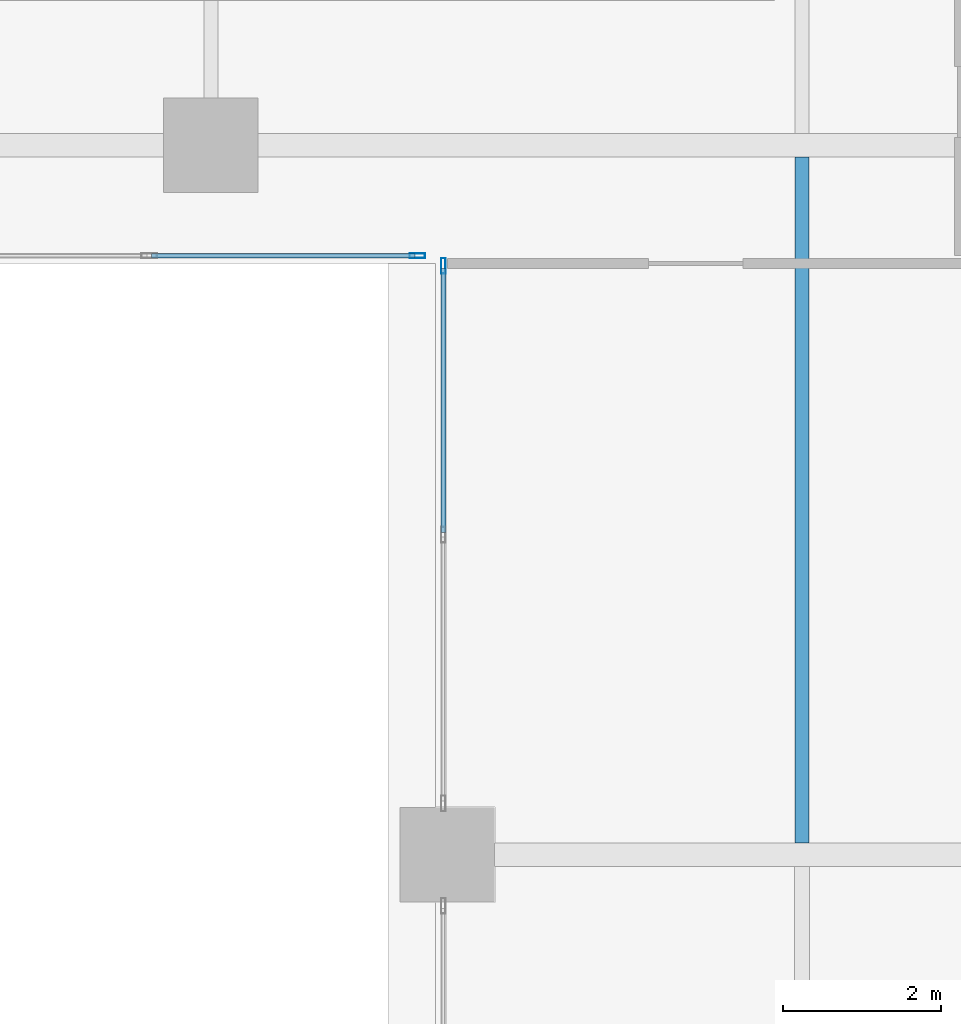
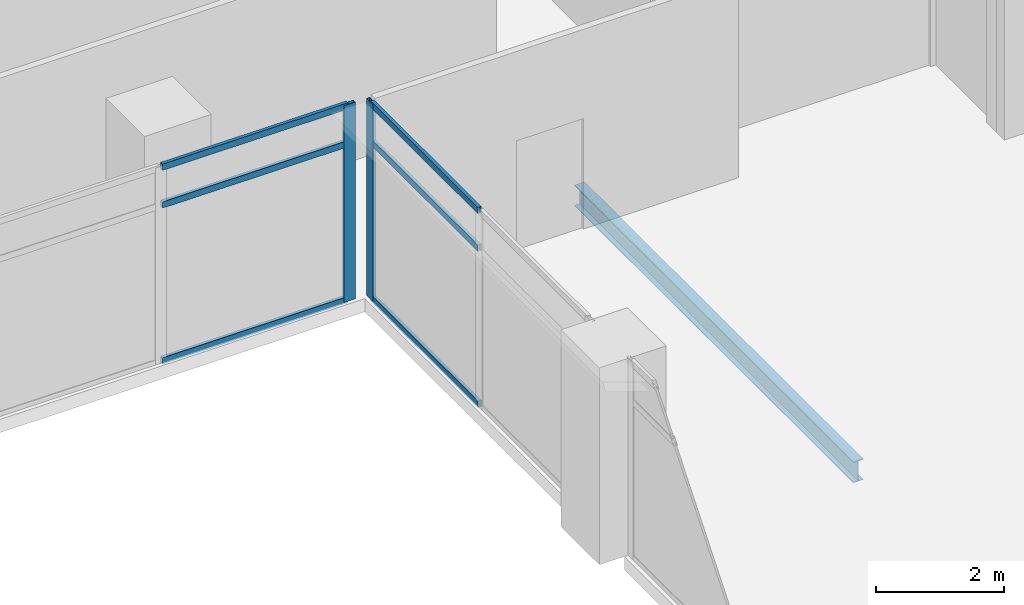
# One storey, part 14 of 38: 8 members, 1 beam, 2 elements without a shape of their own.
"""IFC4 building model written with IfcOpenShell, lengths in metres."""

from ifc_helpers import new_model, si_unit, direction, frame, origin, origin_2d, place, context, subcontext, project, spatial, hollow_rectangle, i_section, extrude, source, transform, mapped, material, material_profile, profile_set, type_object, element, aggregate, save


model = new_model("IFC4")

# Units and contexts
model_context = context("Model", 3, precision=1e-05, world=origin(), true_north=direction((0.0, 1.0)))
body_context = subcontext(model_context, "Body", "Model", "MODEL_VIEW")
ifc_project = project(units=[si_unit("LENGTHUNIT", "METRE"), si_unit("AREAUNIT", "SQUARE_METRE"), si_unit("VOLUMEUNIT", "CUBIC_METRE"), si_unit("PLANEANGLEUNIT", "RADIAN"), si_unit("MASSUNIT", "GRAM", prefix="KILO")], contexts=[model_context])

# Site, building, storey
site_placement = place(None, origin())
site = spatial("IfcSite", under=ifc_project, at=site_placement, CompositionType="ELEMENT")
building_placement = place(site_placement, origin())
building = spatial("IfcBuilding", under=site, at=building_placement, Name="Khomas Fold Tower", CompositionType="ELEMENT")
storey_placement = place(building_placement, frame((0.0, 0.0, 172.699951171875)))
storey = spatial("IfcBuildingStorey", under=building, at=storey_placement, Name="L37", CompositionType="ELEMENT", Elevation=172.699951171875)

# Beam
ifc_material_1 = material(Name="Steel S355", Category="steel")
ifc_material_profile_1 = material_profile(ifc_material_1, i_section(OverallWidth=0.179931640625, OverallDepth=0.39990234375, WebThickness=0.008544921875, FlangeThickness=0.013427734375, at=origin_2d()), Name="IPE 400")
ifc_profile_set_1 = profile_set([ifc_material_profile_1], Name="Steel S355")
beam_type = type_object("IfcBeamType", Name="IPE 400 beam JB3", PredefinedType="BEAM", material=ifc_profile_set_1)
shared_shape_1 = source(origin(), body_context, "Body", "SweptSolid", [
    extrude(i_section(OverallWidth=0.179931640625, OverallDepth=0.39990234375, WebThickness=0.008544921875, FlangeThickness=0.013427734375, at=origin_2d()), origin(), (0.0, 0.0, 1.0), 8.7001953125),
])
beam_placement = place(storey_placement, frame((42.0, 13.64990234375, -0.449951171875), z_axis=(0.0, 1.0, 0.0), x_axis=(-1.0, 0.0, 0.0)))
element("IfcBeam", 1, at=beam_placement, inside=storey, type_object=beam_type, Name="JB3", PredefinedType="BEAM", context=body_context, shape_type="MappedRepresentation", body=[
    mapped(shared_shape_1, transform((0.0, 0.0, 0.0))),
])

# Curtain wall, member
ifc_material_2 = material(Name="Aluminium framed double glazing", Category="aluminium")
curtain_wall_type = type_object("IfcCurtainWallType", Name="Notch glazing GN-CW", PredefinedType="NOTDEFINED", material=ifc_material_2)
curtain_wall_1_placement = place(storey_placement, origin())
curtain_wall_1 = element("IfcCurtainWall", 2, at=curtain_wall_1_placement, inside=storey, type_object=curtain_wall_type, Name="Notch glazing run", PredefinedType="NOTDEFINED")
ifc_material_3 = material(Name="Aluminium", Category="aluminium")
ifc_material_profile_2 = material_profile(ifc_material_3, hollow_rectangle(XDim=0.06005859375, YDim=0.199951171875, WallThickness=0.00390625, at=origin_2d()), Name="Notch glazing mullion GN-CW-M")
ifc_profile_set_2 = profile_set([ifc_material_profile_2], Name="Aluminium")
member_type_1 = type_object("IfcMemberType", Name="Notch glazing mullion GN-CW-M", PredefinedType="MULLION", material=ifc_profile_set_2)
shared_shape_2 = source(origin(), body_context, "Body", "SweptSolid", [
    extrude(hollow_rectangle(XDim=0.06005859375, YDim=0.199951171875, WallThickness=0.00390625, at=origin_2d()), origin(), (0.0, 0.0, 1.0), 3.75),
])
member_1_placement = place(storey_placement, frame((37.1201171875, 21.10009765625, 0.0), z_axis=(0.0, 0.0, 1.0), x_axis=(0.0, 1.0, 0.0)))
member_1 = element("IfcMember", 3, at=member_1_placement, type_object=member_type_1, Name="GN-CW mullion 4", PredefinedType="MULLION", context=body_context, shape_type="MappedRepresentation", body=[
    mapped(shared_shape_2, transform((0.0, 0.0, 0.0))),
])

# Curtain wall, members
curtain_wall_2_placement = place(storey_placement, origin())
curtain_wall_2 = element("IfcCurtainWall", 4, at=curtain_wall_2_placement, inside=storey, type_object=curtain_wall_type, Name="Notch glazing run", PredefinedType="NOTDEFINED")
member_2_placement = place(storey_placement, frame((37.449951171875, 20.969970703125, 0.0), z_axis=(0.0, 0.0, 1.0), x_axis=(1.0, 0.0, 0.0)))
member_2 = element("IfcMember", 5, at=member_2_placement, type_object=member_type_1, Name="GN-CW mullion 1", PredefinedType="MULLION", context=body_context, shape_type="MappedRepresentation", body=[
    mapped(shared_shape_2, transform((0.0, 0.0, 0.0))),
])
ifc_material_4 = material(Name="Aluminium", Category="aluminium")
ifc_material_profile_3 = material_profile(ifc_material_4, hollow_rectangle(XDim=0.06005859375, YDim=0.1201171875, WallThickness=0.00390625, at=origin_2d()), Name="Notch glazing transom GN-CW-T")
ifc_profile_set_3 = profile_set([ifc_material_profile_3], Name="Aluminium")
member_type_2 = type_object("IfcMemberType", Name="Notch glazing transom GN-CW-T", PredefinedType="USERDEFINED", material=ifc_profile_set_3)
shared_shape_3 = source(origin(), body_context, "Body", "SweptSolid", [
    extrude(hollow_rectangle(XDim=0.06005859375, YDim=0.1201171875, WallThickness=0.00390625, at=origin_2d()), origin(), (0.0, 0.0, 1.0), 3.349853515625),
])
member_3_placement = place(storey_placement, frame((37.449951171875, 20.93994140625, 0.030029296875), z_axis=(0.0, -1.0, 0.0), x_axis=(1.0, 0.0, 0.0)))
member_3 = element("IfcMember", 6, at=member_3_placement, type_object=member_type_2, Name="GN-CW transom 1.1", ObjectType="TRANSOM", PredefinedType="USERDEFINED", context=body_context, shape_type="MappedRepresentation", body=[
    mapped(shared_shape_3, transform((0.0, 0.0, 0.0))),
])
member_4_placement = place(storey_placement, frame((37.449951171875, 20.93994140625, 3.0), z_axis=(0.0, -1.0, 0.0), x_axis=(1.0, 0.0, 0.0)))
member_4 = element("IfcMember", 7, at=member_4_placement, type_object=member_type_2, Name="GN-CW transom 1.2", ObjectType="TRANSOM", PredefinedType="USERDEFINED", context=body_context, shape_type="MappedRepresentation", body=[
    mapped(shared_shape_3, transform((0.0, 0.0, 0.0))),
])
member_5_placement = place(storey_placement, frame((37.449951171875, 20.93994140625, 3.719970703125), z_axis=(0.0, -1.0, 0.0), x_axis=(1.0, 0.0, 0.0)))
member_5 = element("IfcMember", 8, at=member_5_placement, type_object=member_type_2, Name="GN-CW transom 1.3", ObjectType="TRANSOM", PredefinedType="USERDEFINED", context=body_context, shape_type="MappedRepresentation", body=[
    mapped(shared_shape_3, transform((0.0, 0.0, 0.0))),
])
aggregate(curtain_wall_2, [member_2, member_3, member_4, member_5])

# Member
shared_shape_4 = source(origin(), body_context, "Body", "SweptSolid", [
    extrude(hollow_rectangle(XDim=0.06005859375, YDim=0.1201171875, WallThickness=0.00390625, at=origin_2d()), origin(), (0.0, 0.0, 1.0), 3.343505859375),
])
member_6_placement = place(storey_placement, frame((33.74658203125, 21.10009765625, 0.030029296875), z_axis=(1.0, 0.0, 0.0), x_axis=(0.0, 1.0, 0.0)))
member_6 = element("IfcMember", 9, at=member_6_placement, type_object=member_type_2, Name="GN-CW transom 3.1", ObjectType="TRANSOM", PredefinedType="USERDEFINED", context=body_context, shape_type="MappedRepresentation", body=[
    mapped(shared_shape_4, transform((0.0, 0.0, 0.0))),
])

member_7_placement = place(storey_placement, frame((33.74658203125, 21.10009765625, 3.0), z_axis=(1.0, 0.0, 0.0), x_axis=(0.0, 1.0, 0.0)))
member_7 = element("IfcMember", 10, at=member_7_placement, type_object=member_type_2, Name="GN-CW transom 3.2", ObjectType="TRANSOM", PredefinedType="USERDEFINED", context=body_context, shape_type="MappedRepresentation", body=[
    mapped(shared_shape_4, transform((0.0, 0.0, 0.0))),
])

member_8_placement = place(storey_placement, frame((33.74658203125, 21.10009765625, 3.719970703125), z_axis=(1.0, 0.0, 0.0), x_axis=(0.0, 1.0, 0.0)))
member_8 = element("IfcMember", 11, at=member_8_placement, type_object=member_type_2, Name="GN-CW transom 3.3", ObjectType="TRANSOM", PredefinedType="USERDEFINED", context=body_context, shape_type="MappedRepresentation", body=[
    mapped(shared_shape_4, transform((0.0, 0.0, 0.0))),
])

aggregate(curtain_wall_1, [member_1, member_6, member_7, member_8])

save(model, "model.ifc")
